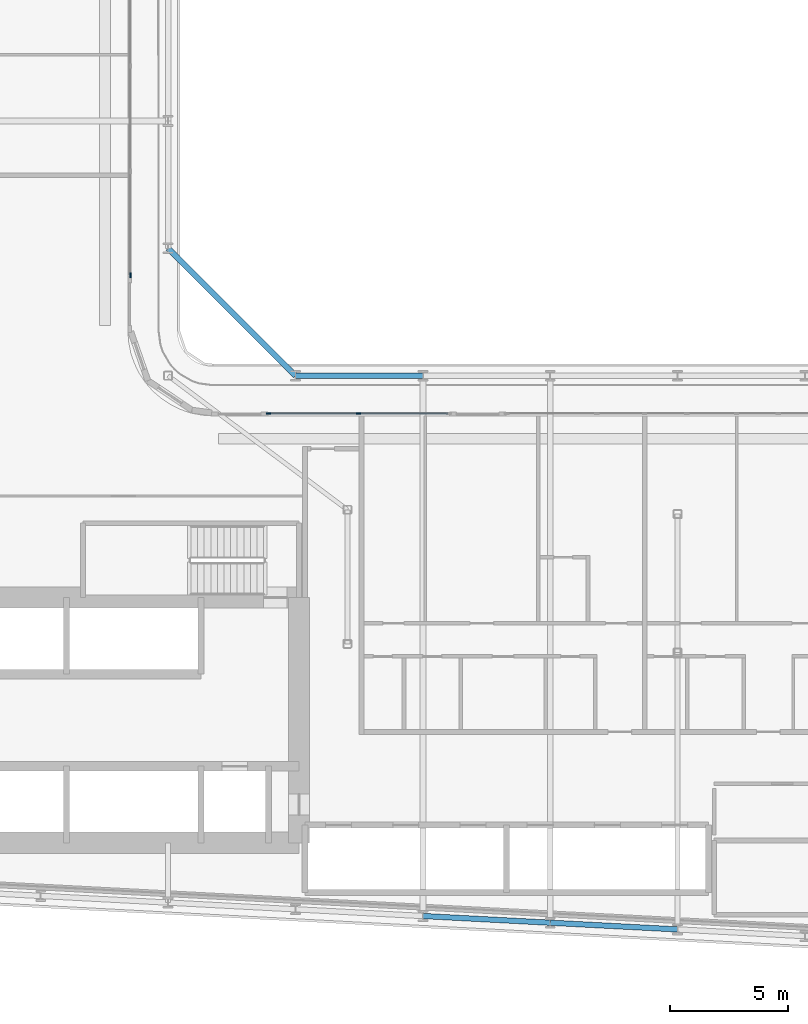
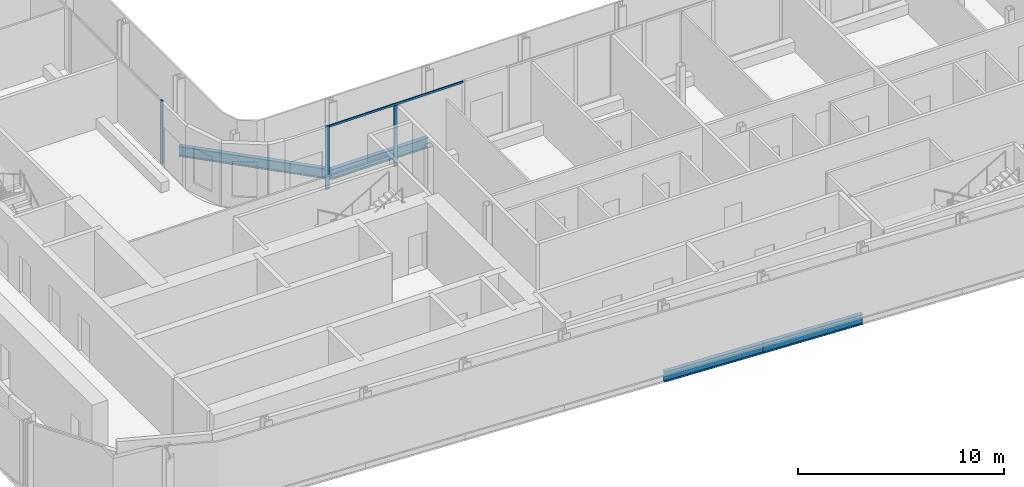
# One storey, part 4 of 26: 4 beams, 4 members, 2 elements without a shape of their own.
"""IFC4 building model written with IfcOpenShell, lengths in metres."""

from ifc_helpers import new_model, si_unit, direction, frame, origin, origin_2d, place, context, subcontext, project, spatial, rectangle, i_section, extrude, material, layer, layer_set, material_profile, profile_set, type_object, element, aggregate, save


model = new_model("IFC4")

# Units and contexts
model_context = context("Model", 3, precision=1e-05, world=origin(), true_north=direction((0.0, 1.0)))
body_context = subcontext(model_context, "Body", "Model", "MODEL_VIEW")
ifc_project = project(units=[si_unit("LENGTHUNIT", "METRE"), si_unit("AREAUNIT", "SQUARE_METRE"), si_unit("VOLUMEUNIT", "CUBIC_METRE"), si_unit("PLANEANGLEUNIT", "RADIAN"), si_unit("MASSUNIT", "GRAM", prefix="KILO")], contexts=[model_context])

# Site, building, storey
site_placement = place(None, origin())
site = spatial("IfcSite", under=ifc_project, at=site_placement, CompositionType="ELEMENT")
building_placement = place(site_placement, origin())
building = spatial("IfcBuilding", under=site, at=building_placement, Name="Kheshtan School and Residences Tower", CompositionType="ELEMENT")
storey_placement = place(building_placement, frame((0.0, 0.0, 105.800048828125)))
storey = spatial("IfcBuildingStorey", under=building, at=storey_placement, Name="L24", CompositionType="ELEMENT", Elevation=105.800048828125)

# Beams
ifc_material_1 = material(Name="Steel ASTM A992 Grade 50", Category="steel")
ifc_material_profile_1 = material_profile(ifc_material_1, i_section(OverallWidth=0.22802734375, OverallDepth=0.60302734375, WebThickness=0.010498046875, FlangeThickness=0.014892578125, FilletRadius=0.013427734375, at=origin_2d()), Name="W610x101")
ifc_profile_set_1 = profile_set([ifc_material_profile_1], Name="Steel ASTM A992 Grade 50")
beam_type = type_object("IfcBeamType", Name="Beam SP2 W610x101 ASTM A992 Grade 50", PredefinedType="BEAM", material=ifc_profile_set_1)
beam_1_placement = place(storey_placement, frame((47.60009765625, 51.0, -0.45166015625), z_axis=(0.707106781187, -0.707106781187, 0.0), x_axis=(0.707106781187, 0.707106781187, 0.0)))
element("IfcBeam", 1, at=beam_1_placement, inside=storey, type_object=beam_type, Name="Spandrel beam C079-C061", PredefinedType="BEAM", context=body_context, shape_type="SweptSolid", body=[
    extrude(i_section(OverallWidth=0.22802734375, OverallDepth=0.60302734375, WebThickness=0.010498046875, FlangeThickness=0.014892578125, FilletRadius=0.013427734375, at=origin_2d()), origin(), (0.0, 0.0, 1.0), 7.63671875),
])
beam_2_placement = place(storey_placement, frame((53.0, 45.60009765625, -0.45166015625), z_axis=(1.0, 0.0, 0.0), x_axis=(0.0, 1.0, 0.0)))
element("IfcBeam", 2, at=beam_2_placement, inside=storey, type_object=beam_type, Name="Spandrel beam C061-C062", PredefinedType="BEAM", context=body_context, shape_type="SweptSolid", body=[
    extrude(i_section(OverallWidth=0.22802734375, OverallDepth=0.60302734375, WebThickness=0.010498046875, FlangeThickness=0.014892578125, FilletRadius=0.013427734375, at=origin_2d()), origin(), (0.0, 0.0, 1.0), 5.39990234375),
])
beam_3_placement = place(storey_placement, frame((69.199951171875, 22.126953125, -0.45166015625), z_axis=(-0.998620447272, 0.05250906864, 0.0), x_axis=(-0.05250906864, -0.998620447272, 0.0)))
element("IfcBeam", 3, at=beam_3_placement, inside=storey, type_object=beam_type, Name="Spandrel beam C014-C016", PredefinedType="BEAM", context=body_context, shape_type="SweptSolid", body=[
    extrude(i_section(OverallWidth=0.22802734375, OverallDepth=0.60302734375, WebThickness=0.010498046875, FlangeThickness=0.014892578125, FilletRadius=0.013427734375, at=origin_2d()), origin(), (0.0, 0.0, 1.0), 5.407470703125),
])
beam_4_placement = place(storey_placement, frame((63.800048828125, 22.410888671875, -0.45166015625), z_axis=(-0.998618203458, 0.052551724256, 0.0), x_axis=(-0.052551724256, -0.998618203458, 0.0)))
element("IfcBeam", 4, at=beam_4_placement, inside=storey, type_object=beam_type, Name="Spandrel beam C016-C018", PredefinedType="BEAM", context=body_context, shape_type="SweptSolid", body=[
    extrude(i_section(OverallWidth=0.22802734375, OverallDepth=0.60302734375, WebThickness=0.010498046875, FlangeThickness=0.014892578125, FilletRadius=0.013427734375, at=origin_2d()), origin(), (0.0, 0.0, 1.0), 5.40771484375),
])

# Curtain wall, member
ifc_material_2 = material(Name="Clear low-e glass in thermally broken aluminium frame", Category="aluminium")
ifc_layer = layer(ifc_material_2, 0.199951171875)
ifc_layer_set = layer_set([ifc_layer], Name="Curtain wall CW-L")
curtain_wall_type = type_object("IfcCurtainWallType", Name="Curtain wall CW-L", PredefinedType="NOTDEFINED", material=ifc_layer_set)
curtain_wall_1_placement = place(storey_placement, origin())
curtain_wall_1 = element("IfcCurtainWall", 5, at=curtain_wall_1_placement, inside=storey, type_object=curtain_wall_type, Name="Curtain wall CWL4b", PredefinedType="NOTDEFINED")
ifc_material_3 = material(Name="Thermally broken aluminium, dark bronze anodised", Category="aluminium")
ifc_material_profile_2 = material_profile(ifc_material_3, rectangle(XDim=0.06005859375, YDim=0.199951171875, at=origin_2d()), Name="CW-L mullion 60x200")
ifc_profile_set_2 = profile_set([ifc_material_profile_2], Name="Thermally broken aluminium, dark bronze anodised")
member_type_1 = type_object("IfcMemberType", Name="CW-L mullion 60x200", PredefinedType="MULLION", material=ifc_profile_set_2)
member_1_placement = place(storey_placement, frame((46.0, 49.860107421875, 0.0), z_axis=(0.0, 0.0, 1.0), x_axis=(1.0, 0.0, 0.0)))
member_1 = element("IfcMember", 6, at=member_1_placement, type_object=member_type_1, Name="CWL4b mullion 3", PredefinedType="MULLION", context=body_context, shape_type="SweptSolid", body=[
    extrude(rectangle(XDim=0.06005859375, YDim=0.199951171875, at=origin_2d()), origin(), (0.0, 0.0, 1.0), 3.75),
])
aggregate(curtain_wall_1, [member_1])

# Curtain wall, members
curtain_wall_2_placement = place(storey_placement, origin())
curtain_wall_2 = element("IfcCurtainWall", 7, at=curtain_wall_2_placement, inside=storey, type_object=curtain_wall_type, Name="Curtain wall CWL8", PredefinedType="NOTDEFINED")
member_2_placement = place(storey_placement, frame((51.860107421875, 44.0, 0.0), z_axis=(0.0, 0.0, 1.0), x_axis=(0.0, 1.0, 0.0)))
member_2 = element("IfcMember", 8, at=member_2_placement, type_object=member_type_1, Name="CWL8 mullion 1", PredefinedType="MULLION", context=body_context, shape_type="SweptSolid", body=[
    extrude(rectangle(XDim=0.06005859375, YDim=0.199951171875, at=origin_2d()), origin(), (0.0, 0.0, 1.0), 3.75),
])
member_3_placement = place(storey_placement, frame((55.677001953125, 44.0, 0.0), z_axis=(0.0, 0.0, 1.0), x_axis=(0.0, 1.0, 0.0)))
member_3 = element("IfcMember", 9, at=member_3_placement, type_object=member_type_1, Name="CWL8 mullion 2", PredefinedType="MULLION", context=body_context, shape_type="SweptSolid", body=[
    extrude(rectangle(XDim=0.06005859375, YDim=0.199951171875, at=origin_2d()), origin(), (0.0, 0.0, 1.0), 3.6298828125),
])
ifc_material_profile_3 = material_profile(ifc_material_3, rectangle(XDim=0.06005859375, YDim=0.1201171875, at=origin_2d()), Name="CW-L transom 60x120")
ifc_profile_set_3 = profile_set([ifc_material_profile_3], Name="Thermally broken aluminium, dark bronze anodised")
member_type_2 = type_object("IfcMemberType", Name="CW-L transom 60x120", PredefinedType="USERDEFINED", material=ifc_profile_set_3)
member_4_placement = place(storey_placement, frame((51.889892578125, 44.0, 3.68994140625), z_axis=(1.0, 0.0, 0.0), x_axis=(0.0, 1.0, 0.0)))
member_4 = element("IfcMember", 10, at=member_4_placement, type_object=member_type_2, Name="CWL8 transom 1", ObjectType="TRANSOM", PredefinedType="USERDEFINED", context=body_context, shape_type="SweptSolid", body=[
    extrude(rectangle(XDim=0.06005859375, YDim=0.1201171875, at=origin_2d()), origin(), (0.0, 0.0, 1.0), 7.57421875),
])
aggregate(curtain_wall_2, [member_2, member_3, member_4])

save(model, "model.ifc")
